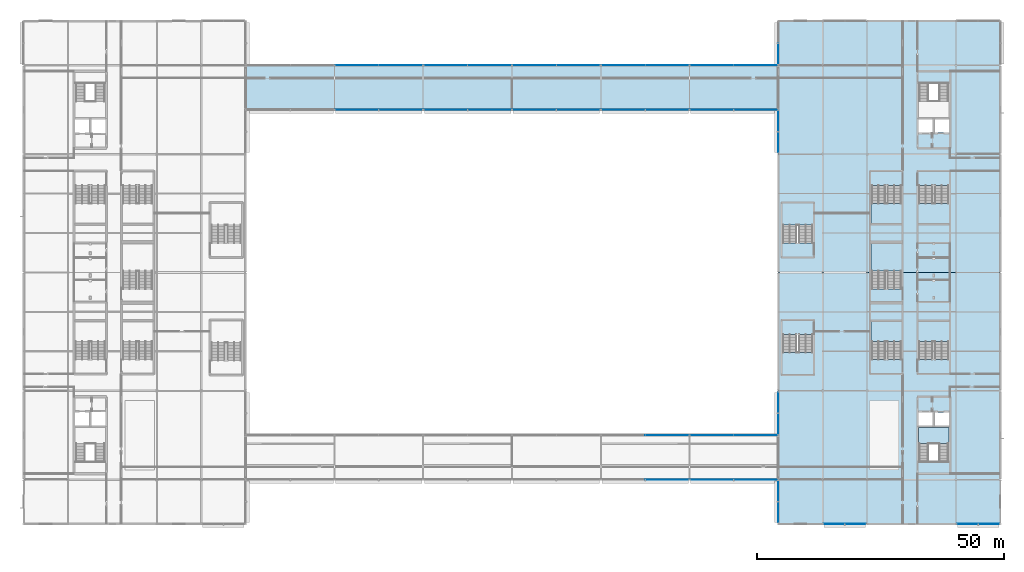
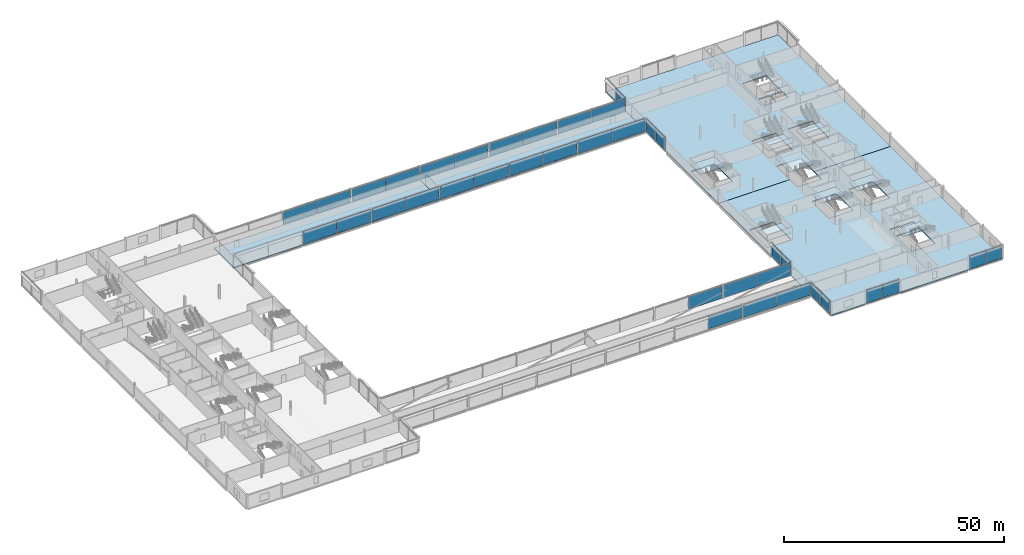
# One storey, part 55 of 98: 37 plates, 12 slabs, 28 elements without a shape of their own.
"""IFC4 building model written with IfcOpenShell, lengths in metres."""

from ifc_helpers import new_model, si_unit, direction, frame, origin, origin_2d, place, context, subcontext, project, spatial, polyline, rectangle, outline, extrude, material, layer, layer_set, type_object, element, aggregate, save


model = new_model("IFC4")

# Units and contexts
model_context = context("Model", 3, precision=1e-05, world=origin(), true_north=direction((0.0, 1.0)))
body_context = subcontext(model_context, "Body", "Model", "MODEL_VIEW")
ifc_project = project(units=[si_unit("LENGTHUNIT", "METRE"), si_unit("AREAUNIT", "SQUARE_METRE"), si_unit("VOLUMEUNIT", "CUBIC_METRE"), si_unit("PLANEANGLEUNIT", "RADIAN"), si_unit("MASSUNIT", "GRAM", prefix="KILO")], contexts=[model_context])

# Site, building, storey
site_placement = place(None, origin())
site = spatial("IfcSite", under=ifc_project, at=site_placement, CompositionType="ELEMENT")
building_placement = place(site_placement, origin())
building = spatial("IfcBuilding", under=site, at=building_placement, Name="Kisiwana Market Hall", CompositionType="ELEMENT")
storey_placement = place(building_placement, frame((0.0, 0.0, 29.39990234375)))
storey = spatial("IfcBuildingStorey", under=building, at=storey_placement, Name="L06", CompositionType="ELEMENT", Elevation=29.39990234375)

# Curtain wall, plates
ifc_material_1 = material(Name="Double-glazed solar-control low-E IGU", Category="glass")
ifc_layer_1 = layer(ifc_material_1, 0.159912109375)
ifc_layer_set_1 = layer_set([ifc_layer_1], Name="CW-ZNA-EW-8200")
curtain_wall_type = type_object("IfcCurtainWallType", Name="CW-ZNA-EW-8200", PredefinedType="USERDEFINED", material=ifc_layer_set_1)
curtain_wall_1_placement = place(storey_placement, origin())
curtain_wall_1 = element("IfcCurtainWall", 1, at=curtain_wall_1_placement, inside=storey, type_object=curtain_wall_type, Name="Unitised curtain wall CW-171 (L06)", ObjectType="UNITISED CURTAIN WALL", PredefinedType="USERDEFINED")
ifc_material_2 = material(Name="Double-glazed solar-control low-E IGU", Category="glass")
ifc_layer_2 = layer(ifc_material_2, 0.02392578125)
ifc_layer_set_2 = layer_set([ifc_layer_2], Name="PL-IGU-24")
plate_type_1 = type_object("IfcPlateType", Name="PL-IGU-24", PredefinedType="CURTAIN_PANEL", material=ifc_layer_set_2)
plate_1_placement = place(storey_placement, frame((191.359130859375, 9.0, 0.06005859375), z_axis=(0.0, 0.0, 1.0), x_axis=(1.0, 0.0, 0.0)))
plate_1 = element("IfcPlate", 2, at=plate_1_placement, type_object=plate_type_1, Name="CW-171 panel 1.1", PredefinedType="CURTAIN_PANEL", context=body_context, shape_type="SweptSolid", body=[
    extrude(rectangle(XDim=4.2236328125, YDim=0.02392578125, at=origin_2d()), origin(), (0.0, 0.0, 1.0), 3.5),
])
plate_2_placement = place(storey_placement, frame((195.64306640625, 9.0, 0.06005859375), z_axis=(0.0, 0.0, 1.0), x_axis=(1.0, 0.0, 0.0)))
plate_2 = element("IfcPlate", 3, at=plate_2_placement, type_object=plate_type_1, Name="CW-171 panel 2.1", PredefinedType="CURTAIN_PANEL", context=body_context, shape_type="SweptSolid", body=[
    extrude(rectangle(XDim=4.2236328125, YDim=0.02392578125, at=origin_2d()), origin(), (0.0, 0.0, 1.0), 3.5),
])
aggregate(curtain_wall_1, [plate_1, plate_2])

curtain_wall_2_placement = place(storey_placement, origin())
curtain_wall_2 = element("IfcCurtainWall", 4, at=curtain_wall_2_placement, inside=storey, type_object=curtain_wall_type, Name="Unitised curtain wall CW-177 (L06)", ObjectType="UNITISED CURTAIN WALL", PredefinedType="USERDEFINED")
plate_3_placement = place(storey_placement, frame((139.5625, 18.0, 0.06005859375), z_axis=(0.0, 0.0, 1.0), x_axis=(1.0, 0.0, 0.0)))
plate_3 = element("IfcPlate", 5, at=plate_3_placement, type_object=plate_type_1, Name="CW-177 panel 1.1", PredefinedType="CURTAIN_PANEL", context=body_context, shape_type="SweptSolid", body=[
    extrude(rectangle(XDim=8.7548828125, YDim=0.02392578125, at=origin_2d()), origin(), (0.0, 0.0, 1.0), 3.5),
])
plate_4_placement = place(storey_placement, frame((148.37744140625, 18.0, 0.06005859375), z_axis=(0.0, 0.0, 1.0), x_axis=(1.0, 0.0, 0.0)))
plate_4 = element("IfcPlate", 6, at=plate_4_placement, type_object=plate_type_1, Name="CW-177 panel 2.1", PredefinedType="CURTAIN_PANEL", context=body_context, shape_type="SweptSolid", body=[
    extrude(rectangle(XDim=8.7548828125, YDim=0.02392578125, at=origin_2d()), origin(), (0.0, 0.0, 1.0), 3.5),
])
aggregate(curtain_wall_2, [plate_3, plate_4])

curtain_wall_3_placement = place(storey_placement, origin())
curtain_wall_3 = element("IfcCurtainWall", 7, at=curtain_wall_3_placement, inside=storey, type_object=curtain_wall_type, Name="Unitised curtain wall CW-183 (L06)", ObjectType="UNITISED CURTAIN WALL", PredefinedType="USERDEFINED")
plate_5_placement = place(storey_placement, frame((139.5625, 27.0, 0.06005859375), z_axis=(0.0, 0.0, 1.0), x_axis=(1.0, 0.0, 0.0)))
plate_5 = element("IfcPlate", 8, at=plate_5_placement, type_object=plate_type_1, Name="CW-183 panel 1.1", PredefinedType="CURTAIN_PANEL", context=body_context, shape_type="SweptSolid", body=[
    extrude(rectangle(XDim=8.7548828125, YDim=0.02392578125, at=origin_2d()), origin(), (0.0, 0.0, 1.0), 3.5),
])
plate_6_placement = place(storey_placement, frame((148.37744140625, 27.0, 0.06005859375), z_axis=(0.0, 0.0, 1.0), x_axis=(1.0, 0.0, 0.0)))
plate_6 = element("IfcPlate", 9, at=plate_6_placement, type_object=plate_type_1, Name="CW-183 panel 2.1", PredefinedType="CURTAIN_PANEL", context=body_context, shape_type="SweptSolid", body=[
    extrude(rectangle(XDim=8.7548828125, YDim=0.02392578125, at=origin_2d()), origin(), (0.0, 0.0, 1.0), 3.5),
])
aggregate(curtain_wall_3, [plate_5, plate_6])

curtain_wall_4_placement = place(storey_placement, origin())
curtain_wall_4 = element("IfcCurtainWall", 10, at=curtain_wall_4_placement, inside=storey, type_object=curtain_wall_type, Name="Unitised curtain wall CW-185 (L06)", ObjectType="UNITISED CURTAIN WALL", PredefinedType="USERDEFINED")
plate_7_placement = place(storey_placement, frame((67.577392578125, 93.0, 0.06005859375), z_axis=(0.0, 0.0, 1.0), x_axis=(1.0, 0.0, 0.0)))
plate_7 = element("IfcPlate", 11, at=plate_7_placement, type_object=plate_type_1, Name="CW-185 panel 1.1", PredefinedType="CURTAIN_PANEL", context=body_context, shape_type="SweptSolid", body=[
    extrude(rectangle(XDim=8.784912109375, YDim=0.02392578125, at=origin_2d()), origin(), (0.0, 0.0, 1.0), 3.5),
])
plate_8_placement = place(storey_placement, frame((76.422607421875, 93.0, 0.06005859375), z_axis=(0.0, 0.0, 1.0), x_axis=(1.0, 0.0, 0.0)))
plate_8 = element("IfcPlate", 12, at=plate_8_placement, type_object=plate_type_1, Name="CW-185 panel 2.1", PredefinedType="CURTAIN_PANEL", context=body_context, shape_type="SweptSolid", body=[
    extrude(rectangle(XDim=8.784912109375, YDim=0.02392578125, at=origin_2d()), origin(), (0.0, 0.0, 1.0), 3.5),
])
aggregate(curtain_wall_4, [plate_7, plate_8])

curtain_wall_5_placement = place(storey_placement, origin())
curtain_wall_5 = element("IfcCurtainWall", 13, at=curtain_wall_5_placement, inside=storey, type_object=curtain_wall_type, Name="Unitised curtain wall CW-187 (L06)", ObjectType="UNITISED CURTAIN WALL", PredefinedType="USERDEFINED")
plate_9_placement = place(storey_placement, frame((103.577392578125, 93.0, 0.06005859375), z_axis=(0.0, 0.0, 1.0), x_axis=(1.0, 0.0, 0.0)))
plate_9 = element("IfcPlate", 14, at=plate_9_placement, type_object=plate_type_1, Name="CW-187 panel 1.1", PredefinedType="CURTAIN_PANEL", context=body_context, shape_type="SweptSolid", body=[
    extrude(rectangle(XDim=8.784912109375, YDim=0.02392578125, at=origin_2d()), origin(), (0.0, 0.0, 1.0), 3.5),
])
plate_10_placement = place(storey_placement, frame((112.422607421875, 93.0, 0.06005859375), z_axis=(0.0, 0.0, 1.0), x_axis=(1.0, 0.0, 0.0)))
plate_10 = element("IfcPlate", 15, at=plate_10_placement, type_object=plate_type_1, Name="CW-187 panel 2.1", PredefinedType="CURTAIN_PANEL", context=body_context, shape_type="SweptSolid", body=[
    extrude(rectangle(XDim=8.784912109375, YDim=0.02392578125, at=origin_2d()), origin(), (0.0, 0.0, 1.0), 3.5),
])
aggregate(curtain_wall_5, [plate_9, plate_10])

curtain_wall_6_placement = place(storey_placement, origin())
curtain_wall_6 = element("IfcCurtainWall", 16, at=curtain_wall_6_placement, inside=storey, type_object=curtain_wall_type, Name="Unitised curtain wall CW-189 (L06)", ObjectType="UNITISED CURTAIN WALL", PredefinedType="USERDEFINED")
plate_11_placement = place(storey_placement, frame((139.5625, 93.0, 0.06005859375), z_axis=(0.0, 0.0, 1.0), x_axis=(1.0, 0.0, 0.0)))
plate_11 = element("IfcPlate", 17, at=plate_11_placement, type_object=plate_type_1, Name="CW-189 panel 1.1", PredefinedType="CURTAIN_PANEL", context=body_context, shape_type="SweptSolid", body=[
    extrude(rectangle(XDim=8.7548828125, YDim=0.02392578125, at=origin_2d()), origin(), (0.0, 0.0, 1.0), 3.5),
])
plate_12_placement = place(storey_placement, frame((148.37744140625, 93.0, 0.06005859375), z_axis=(0.0, 0.0, 1.0), x_axis=(1.0, 0.0, 0.0)))
plate_12 = element("IfcPlate", 18, at=plate_12_placement, type_object=plate_type_1, Name="CW-189 panel 2.1", PredefinedType="CURTAIN_PANEL", context=body_context, shape_type="SweptSolid", body=[
    extrude(rectangle(XDim=8.7548828125, YDim=0.02392578125, at=origin_2d()), origin(), (0.0, 0.0, 1.0), 3.5),
])
aggregate(curtain_wall_6, [plate_11, plate_12])

curtain_wall_7_placement = place(storey_placement, origin())
curtain_wall_7 = element("IfcCurtainWall", 19, at=curtain_wall_7_placement, inside=storey, type_object=curtain_wall_type, Name="Unitised curtain wall CW-191 (L06)", ObjectType="UNITISED CURTAIN WALL", PredefinedType="USERDEFINED")
plate_13_placement = place(storey_placement, frame((67.577392578125, 102.0, 0.06005859375), z_axis=(0.0, 0.0, 1.0), x_axis=(1.0, 0.0, 0.0)))
plate_13 = element("IfcPlate", 20, at=plate_13_placement, type_object=plate_type_1, Name="CW-191 panel 1.1", PredefinedType="CURTAIN_PANEL", context=body_context, shape_type="SweptSolid", body=[
    extrude(rectangle(XDim=8.784912109375, YDim=0.02392578125, at=origin_2d()), origin(), (0.0, 0.0, 1.0), 3.5),
])
plate_14_placement = place(storey_placement, frame((76.422607421875, 102.0, 0.06005859375), z_axis=(0.0, 0.0, 1.0), x_axis=(1.0, 0.0, 0.0)))
plate_14 = element("IfcPlate", 21, at=plate_14_placement, type_object=plate_type_1, Name="CW-191 panel 2.1", PredefinedType="CURTAIN_PANEL", context=body_context, shape_type="SweptSolid", body=[
    extrude(rectangle(XDim=8.784912109375, YDim=0.02392578125, at=origin_2d()), origin(), (0.0, 0.0, 1.0), 3.5),
])
aggregate(curtain_wall_7, [plate_13, plate_14])

curtain_wall_8_placement = place(storey_placement, origin())
curtain_wall_8 = element("IfcCurtainWall", 22, at=curtain_wall_8_placement, inside=storey, type_object=curtain_wall_type, Name="Unitised curtain wall CW-193 (L06)", ObjectType="UNITISED CURTAIN WALL", PredefinedType="USERDEFINED")
plate_15_placement = place(storey_placement, frame((103.577392578125, 102.0, 0.06005859375), z_axis=(0.0, 0.0, 1.0), x_axis=(1.0, 0.0, 0.0)))
plate_15 = element("IfcPlate", 23, at=plate_15_placement, type_object=plate_type_1, Name="CW-193 panel 1.1", PredefinedType="CURTAIN_PANEL", context=body_context, shape_type="SweptSolid", body=[
    extrude(rectangle(XDim=8.784912109375, YDim=0.02392578125, at=origin_2d()), origin(), (0.0, 0.0, 1.0), 3.5),
])
plate_16_placement = place(storey_placement, frame((112.422607421875, 102.0, 0.06005859375), z_axis=(0.0, 0.0, 1.0), x_axis=(1.0, 0.0, 0.0)))
plate_16 = element("IfcPlate", 24, at=plate_16_placement, type_object=plate_type_1, Name="CW-193 panel 2.1", PredefinedType="CURTAIN_PANEL", context=body_context, shape_type="SweptSolid", body=[
    extrude(rectangle(XDim=8.784912109375, YDim=0.02392578125, at=origin_2d()), origin(), (0.0, 0.0, 1.0), 3.5),
])
aggregate(curtain_wall_8, [plate_15, plate_16])

curtain_wall_9_placement = place(storey_placement, origin())
curtain_wall_9 = element("IfcCurtainWall", 25, at=curtain_wall_9_placement, inside=storey, type_object=curtain_wall_type, Name="Unitised curtain wall CW-195 (L06)", ObjectType="UNITISED CURTAIN WALL", PredefinedType="USERDEFINED")
plate_17_placement = place(storey_placement, frame((139.5625, 102.0, 0.06005859375), z_axis=(0.0, 0.0, 1.0), x_axis=(1.0, 0.0, 0.0)))
plate_17 = element("IfcPlate", 26, at=plate_17_placement, type_object=plate_type_1, Name="CW-195 panel 1.1", PredefinedType="CURTAIN_PANEL", context=body_context, shape_type="SweptSolid", body=[
    extrude(rectangle(XDim=8.7548828125, YDim=0.02392578125, at=origin_2d()), origin(), (0.0, 0.0, 1.0), 3.5),
])
plate_18_placement = place(storey_placement, frame((148.37744140625, 102.0, 0.06005859375), z_axis=(0.0, 0.0, 1.0), x_axis=(1.0, 0.0, 0.0)))
plate_18 = element("IfcPlate", 27, at=plate_18_placement, type_object=plate_type_1, Name="CW-195 panel 2.1", PredefinedType="CURTAIN_PANEL", context=body_context, shape_type="SweptSolid", body=[
    extrude(rectangle(XDim=8.7548828125, YDim=0.02392578125, at=origin_2d()), origin(), (0.0, 0.0, 1.0), 3.5),
])
aggregate(curtain_wall_9, [plate_17, plate_18])

curtain_wall_10_placement = place(storey_placement, origin())
curtain_wall_10 = element("IfcCurtainWall", 28, at=curtain_wall_10_placement, inside=storey, type_object=curtain_wall_type, Name="Unitised curtain wall CW-205 (L06)", ObjectType="UNITISED CURTAIN WALL", PredefinedType="USERDEFINED")
plate_19_placement = place(storey_placement, frame((153.0, 29.35546875, 0.06005859375), z_axis=(0.0, 0.0, 1.0), x_axis=(0.0, 1.0, 0.0)))
plate_19 = element("IfcPlate", 29, at=plate_19_placement, type_object=plate_type_1, Name="CW-205 panel 1.1", PredefinedType="CURTAIN_PANEL", context=body_context, shape_type="SweptSolid", body=[
    extrude(rectangle(XDim=4.22900390625, YDim=0.02392578125, at=origin_2d()), origin(), (0.0, 0.0, 1.0), 3.5),
])
plate_20_placement = place(storey_placement, frame((153.0, 33.64453125, 0.06005859375), z_axis=(0.0, 0.0, 1.0), x_axis=(0.0, 1.0, 0.0)))
plate_20 = element("IfcPlate", 30, at=plate_20_placement, type_object=plate_type_1, Name="CW-205 panel 2.1", PredefinedType="CURTAIN_PANEL", context=body_context, shape_type="SweptSolid", body=[
    extrude(rectangle(XDim=4.22900390625, YDim=0.02392578125, at=origin_2d()), origin(), (0.0, 0.0, 1.0), 3.5),
])
aggregate(curtain_wall_10, [plate_19, plate_20])

# Curtain wall, plate
curtain_wall_11_placement = place(storey_placement, origin())
curtain_wall_11 = element("IfcCurtainWall", 31, at=curtain_wall_11_placement, inside=storey, type_object=curtain_wall_type, Name="Unitised curtain wall CW-207 (L06)", ObjectType="UNITISED CURTAIN WALL", PredefinedType="USERDEFINED")
plate_21_placement = place(storey_placement, frame((153.0, 104.35546875, 0.06005859375), z_axis=(0.0, 0.0, 1.0), x_axis=(0.0, 1.0, 0.0)))
plate_21 = element("IfcPlate", 32, at=plate_21_placement, type_object=plate_type_1, Name="CW-207 panel 1.1", PredefinedType="CURTAIN_PANEL", context=body_context, shape_type="SweptSolid", body=[
    extrude(rectangle(XDim=4.22900390625, YDim=0.02392578125, at=origin_2d()), origin(), (0.0, 0.0, 1.0), 3.5),
])
aggregate(curtain_wall_11, [plate_21])

# Curtain wall, plates
curtain_wall_12_placement = place(storey_placement, origin())
curtain_wall_12 = element("IfcCurtainWall", 33, at=curtain_wall_12_placement, inside=storey, type_object=curtain_wall_type, Name="Unitised curtain wall CW-170 (L06)", ObjectType="UNITISED CURTAIN WALL", PredefinedType="USERDEFINED")
ifc_material_3 = material(Name="Double-glazed acoustic laminated IGU", Category="glass")
ifc_layer_3 = layer(ifc_material_3, 0.028076171875)
ifc_layer_set_3 = layer_set([ifc_layer_3], Name="PL-IGU-28")
plate_type_2 = type_object("IfcPlateType", Name="PL-IGU-28", PredefinedType="CURTAIN_PANEL", material=ifc_layer_set_3)
plate_22_placement = place(storey_placement, frame((164.35693359375, 9.0, 0.06005859375), z_axis=(0.0, 0.0, 1.0), x_axis=(1.0, 0.0, 0.0)))
plate_22 = element("IfcPlate", 34, at=plate_22_placement, type_object=plate_type_2, Name="CW-170 panel 1.1", PredefinedType="CURTAIN_PANEL", context=body_context, shape_type="SweptSolid", body=[
    extrude(rectangle(XDim=4.2236328125, YDim=0.028076171875, at=origin_2d()), origin(), (0.0, 0.0, 1.0), 3.5),
])
plate_23_placement = place(storey_placement, frame((168.640869140625, 9.0, 0.06005859375), z_axis=(0.0, 0.0, 1.0), x_axis=(1.0, 0.0, 0.0)))
plate_23 = element("IfcPlate", 35, at=plate_23_placement, type_object=plate_type_2, Name="CW-170 panel 2.1", PredefinedType="CURTAIN_PANEL", context=body_context, shape_type="SweptSolid", body=[
    extrude(rectangle(XDim=4.2236328125, YDim=0.028076171875, at=origin_2d()), origin(), (0.0, 0.0, 1.0), 3.5),
])
aggregate(curtain_wall_12, [plate_22, plate_23])

# Curtain wall, plate
curtain_wall_13_placement = place(storey_placement, origin())
curtain_wall_13 = element("IfcCurtainWall", 36, at=curtain_wall_13_placement, inside=storey, type_object=curtain_wall_type, Name="Unitised curtain wall CW-176 (L06)", ObjectType="UNITISED CURTAIN WALL", PredefinedType="USERDEFINED")
plate_24_placement = place(storey_placement, frame((130.422607421875, 18.0, 0.06005859375), z_axis=(0.0, 0.0, 1.0), x_axis=(1.0, 0.0, 0.0)))
plate_24 = element("IfcPlate", 37, at=plate_24_placement, type_object=plate_type_2, Name="CW-176 panel 2.1", PredefinedType="CURTAIN_PANEL", context=body_context, shape_type="SweptSolid", body=[
    extrude(rectangle(XDim=8.784912109375, YDim=0.028076171875, at=origin_2d()), origin(), (0.0, 0.0, 1.0), 3.5),
])
aggregate(curtain_wall_13, [plate_24])

curtain_wall_14_placement = place(storey_placement, origin())
curtain_wall_14 = element("IfcCurtainWall", 38, at=curtain_wall_14_placement, inside=storey, type_object=curtain_wall_type, Name="Unitised curtain wall CW-182 (L06)", ObjectType="UNITISED CURTAIN WALL", PredefinedType="USERDEFINED")
plate_25_placement = place(storey_placement, frame((130.422607421875, 27.0, 0.06005859375), z_axis=(0.0, 0.0, 1.0), x_axis=(1.0, 0.0, 0.0)))
plate_25 = element("IfcPlate", 39, at=plate_25_placement, type_object=plate_type_2, Name="CW-182 panel 2.1", PredefinedType="CURTAIN_PANEL", context=body_context, shape_type="SweptSolid", body=[
    extrude(rectangle(XDim=8.784912109375, YDim=0.028076171875, at=origin_2d()), origin(), (0.0, 0.0, 1.0), 3.5),
])
aggregate(curtain_wall_14, [plate_25])

# Curtain wall, plates
curtain_wall_15_placement = place(storey_placement, origin())
curtain_wall_15 = element("IfcCurtainWall", 40, at=curtain_wall_15_placement, inside=storey, type_object=curtain_wall_type, Name="Unitised curtain wall CW-186 (L06)", ObjectType="UNITISED CURTAIN WALL", PredefinedType="USERDEFINED")
plate_26_placement = place(storey_placement, frame((85.577392578125, 93.0, 0.06005859375), z_axis=(0.0, 0.0, 1.0), x_axis=(1.0, 0.0, 0.0)))
plate_26 = element("IfcPlate", 41, at=plate_26_placement, type_object=plate_type_2, Name="CW-186 panel 1.1", PredefinedType="CURTAIN_PANEL", context=body_context, shape_type="SweptSolid", body=[
    extrude(rectangle(XDim=8.784912109375, YDim=0.028076171875, at=origin_2d()), origin(), (0.0, 0.0, 1.0), 3.5),
])
plate_27_placement = place(storey_placement, frame((94.422607421875, 93.0, 0.06005859375), z_axis=(0.0, 0.0, 1.0), x_axis=(1.0, 0.0, 0.0)))
plate_27 = element("IfcPlate", 42, at=plate_27_placement, type_object=plate_type_2, Name="CW-186 panel 2.1", PredefinedType="CURTAIN_PANEL", context=body_context, shape_type="SweptSolid", body=[
    extrude(rectangle(XDim=8.784912109375, YDim=0.028076171875, at=origin_2d()), origin(), (0.0, 0.0, 1.0), 3.5),
])
aggregate(curtain_wall_15, [plate_26, plate_27])

curtain_wall_16_placement = place(storey_placement, origin())
curtain_wall_16 = element("IfcCurtainWall", 43, at=curtain_wall_16_placement, inside=storey, type_object=curtain_wall_type, Name="Unitised curtain wall CW-188 (L06)", ObjectType="UNITISED CURTAIN WALL", PredefinedType="USERDEFINED")
plate_28_placement = place(storey_placement, frame((121.577392578125, 93.0, 0.06005859375), z_axis=(0.0, 0.0, 1.0), x_axis=(1.0, 0.0, 0.0)))
plate_28 = element("IfcPlate", 44, at=plate_28_placement, type_object=plate_type_2, Name="CW-188 panel 1.1", PredefinedType="CURTAIN_PANEL", context=body_context, shape_type="SweptSolid", body=[
    extrude(rectangle(XDim=8.784912109375, YDim=0.028076171875, at=origin_2d()), origin(), (0.0, 0.0, 1.0), 3.5),
])
plate_29_placement = place(storey_placement, frame((130.422607421875, 93.0, 0.06005859375), z_axis=(0.0, 0.0, 1.0), x_axis=(1.0, 0.0, 0.0)))
plate_29 = element("IfcPlate", 45, at=plate_29_placement, type_object=plate_type_2, Name="CW-188 panel 2.1", PredefinedType="CURTAIN_PANEL", context=body_context, shape_type="SweptSolid", body=[
    extrude(rectangle(XDim=8.784912109375, YDim=0.028076171875, at=origin_2d()), origin(), (0.0, 0.0, 1.0), 3.5),
])
aggregate(curtain_wall_16, [plate_28, plate_29])

curtain_wall_17_placement = place(storey_placement, origin())
curtain_wall_17 = element("IfcCurtainWall", 46, at=curtain_wall_17_placement, inside=storey, type_object=curtain_wall_type, Name="Unitised curtain wall CW-192 (L06)", ObjectType="UNITISED CURTAIN WALL", PredefinedType="USERDEFINED")
plate_30_placement = place(storey_placement, frame((85.577392578125, 102.0, 0.06005859375), z_axis=(0.0, 0.0, 1.0), x_axis=(1.0, 0.0, 0.0)))
plate_30 = element("IfcPlate", 47, at=plate_30_placement, type_object=plate_type_2, Name="CW-192 panel 1.1", PredefinedType="CURTAIN_PANEL", context=body_context, shape_type="SweptSolid", body=[
    extrude(rectangle(XDim=8.784912109375, YDim=0.028076171875, at=origin_2d()), origin(), (0.0, 0.0, 1.0), 3.5),
])
plate_31_placement = place(storey_placement, frame((94.422607421875, 102.0, 0.06005859375), z_axis=(0.0, 0.0, 1.0), x_axis=(1.0, 0.0, 0.0)))
plate_31 = element("IfcPlate", 48, at=plate_31_placement, type_object=plate_type_2, Name="CW-192 panel 2.1", PredefinedType="CURTAIN_PANEL", context=body_context, shape_type="SweptSolid", body=[
    extrude(rectangle(XDim=8.784912109375, YDim=0.028076171875, at=origin_2d()), origin(), (0.0, 0.0, 1.0), 3.5),
])
aggregate(curtain_wall_17, [plate_30, plate_31])

curtain_wall_18_placement = place(storey_placement, origin())
curtain_wall_18 = element("IfcCurtainWall", 49, at=curtain_wall_18_placement, inside=storey, type_object=curtain_wall_type, Name="Unitised curtain wall CW-194 (L06)", ObjectType="UNITISED CURTAIN WALL", PredefinedType="USERDEFINED")
plate_32_placement = place(storey_placement, frame((121.577392578125, 102.0, 0.06005859375), z_axis=(0.0, 0.0, 1.0), x_axis=(1.0, 0.0, 0.0)))
plate_32 = element("IfcPlate", 50, at=plate_32_placement, type_object=plate_type_2, Name="CW-194 panel 1.1", PredefinedType="CURTAIN_PANEL", context=body_context, shape_type="SweptSolid", body=[
    extrude(rectangle(XDim=8.784912109375, YDim=0.028076171875, at=origin_2d()), origin(), (0.0, 0.0, 1.0), 3.5),
])
plate_33_placement = place(storey_placement, frame((130.422607421875, 102.0, 0.06005859375), z_axis=(0.0, 0.0, 1.0), x_axis=(1.0, 0.0, 0.0)))
plate_33 = element("IfcPlate", 51, at=plate_33_placement, type_object=plate_type_2, Name="CW-194 panel 2.1", PredefinedType="CURTAIN_PANEL", context=body_context, shape_type="SweptSolid", body=[
    extrude(rectangle(XDim=8.784912109375, YDim=0.028076171875, at=origin_2d()), origin(), (0.0, 0.0, 1.0), 3.5),
])
aggregate(curtain_wall_18, [plate_32, plate_33])

curtain_wall_19_placement = place(storey_placement, origin())
curtain_wall_19 = element("IfcCurtainWall", 52, at=curtain_wall_19_placement, inside=storey, type_object=curtain_wall_type, Name="Unitised curtain wall CW-204 (L06)", ObjectType="UNITISED CURTAIN WALL", PredefinedType="USERDEFINED")
plate_34_placement = place(storey_placement, frame((153.0, 11.35546875, 0.06005859375), z_axis=(0.0, 0.0, 1.0), x_axis=(0.0, 1.0, 0.0)))
plate_34 = element("IfcPlate", 53, at=plate_34_placement, type_object=plate_type_2, Name="CW-204 panel 1.1", PredefinedType="CURTAIN_PANEL", context=body_context, shape_type="SweptSolid", body=[
    extrude(rectangle(XDim=4.22900390625, YDim=0.028076171875, at=origin_2d()), origin(), (0.0, 0.0, 1.0), 3.5),
])
plate_35_placement = place(storey_placement, frame((153.0, 15.64453125, 0.06005859375), z_axis=(0.0, 0.0, 1.0), x_axis=(0.0, 1.0, 0.0)))
plate_35 = element("IfcPlate", 54, at=plate_35_placement, type_object=plate_type_2, Name="CW-204 panel 2.1", PredefinedType="CURTAIN_PANEL", context=body_context, shape_type="SweptSolid", body=[
    extrude(rectangle(XDim=4.22900390625, YDim=0.028076171875, at=origin_2d()), origin(), (0.0, 0.0, 1.0), 3.5),
])
aggregate(curtain_wall_19, [plate_34, plate_35])

curtain_wall_20_placement = place(storey_placement, origin())
curtain_wall_20 = element("IfcCurtainWall", 55, at=curtain_wall_20_placement, inside=storey, type_object=curtain_wall_type, Name="Unitised curtain wall CW-206 (L06)", ObjectType="UNITISED CURTAIN WALL", PredefinedType="USERDEFINED")
plate_36_placement = place(storey_placement, frame((153.0, 86.35546875, 0.06005859375), z_axis=(0.0, 0.0, 1.0), x_axis=(0.0, 1.0, 0.0)))
plate_36 = element("IfcPlate", 56, at=plate_36_placement, type_object=plate_type_2, Name="CW-206 panel 1.1", PredefinedType="CURTAIN_PANEL", context=body_context, shape_type="SweptSolid", body=[
    extrude(rectangle(XDim=4.22900390625, YDim=0.028076171875, at=origin_2d()), origin(), (0.0, 0.0, 1.0), 3.5),
])
plate_37_placement = place(storey_placement, frame((153.0, 90.64453125, 0.06005859375), z_axis=(0.0, 0.0, 1.0), x_axis=(0.0, 1.0, 0.0)))
plate_37 = element("IfcPlate", 57, at=plate_37_placement, type_object=plate_type_2, Name="CW-206 panel 2.1", PredefinedType="CURTAIN_PANEL", context=body_context, shape_type="SweptSolid", body=[
    extrude(rectangle(XDim=4.22900390625, YDim=0.028076171875, at=origin_2d()), origin(), (0.0, 0.0, 1.0), 3.5),
])
aggregate(curtain_wall_20, [plate_36, plate_37])

# Stair, slab
ifc_material_4 = material(Name="Concrete C32/40", Category="concrete")
stair_type_1 = type_object("IfcStairType", Name="ST-TWR-3900", PredefinedType="TWO_STRAIGHT_RUN_STAIR", material=ifc_material_4)
stair_1_placement = place(storey_placement, origin())
stair_1 = element("IfcStair", 58, at=stair_1_placement, inside=storey, type_object=stair_type_1, Name="Escape stair ST-E2-L06", PredefinedType="TWO_STRAIGHT_RUN_STAIR")
ifc_material_5 = material(Name="Concrete C32/40", Category="concrete")
ifc_layer_4 = layer(ifc_material_5, 0.239990234375)
ifc_layer_set_4 = layer_set([ifc_layer_4], Name="SL-LANDING-160")
slab_type_1 = type_object("IfcSlabType", Name="SL-LANDING-160", PredefinedType="LANDING", material=ifc_layer_set_4)
slab_1_placement = place(storey_placement, frame((0.0, 0.0, 1.710205078125)))
slab_1 = element("IfcSlab", 59, at=slab_1_placement, type_object=slab_type_1, Name="ST-E2-L06 landing 1 S-286", PredefinedType="LANDING", context=body_context, shape_type="SweptSolid", body=[
    extrude(outline(polyline([(181.3798828125, 25.30908203125), (187.6201171875, 25.30908203125), (187.6201171875, 28.6201171875), (181.3798828125, 28.6201171875), (181.3798828125, 25.30908203125)])), origin(), (0.0, 0.0, 1.0), 0.239990234375),
])
aggregate(stair_1, [slab_1])

ifc_material_6 = material(Name="Concrete C32/40", Category="concrete")
stair_type_2 = type_object("IfcStairType", Name="ST-ESC-3900", PredefinedType="TWO_STRAIGHT_RUN_STAIR", material=ifc_material_6)
stair_2_placement = place(storey_placement, origin())
stair_2 = element("IfcStair", 60, at=stair_2_placement, inside=storey, type_object=stair_type_2, Name="Escape stair ST-E3-L06", PredefinedType="TWO_STRAIGHT_RUN_STAIR")
slab_2_placement = place(storey_placement, frame((0.0, 0.0, 1.710205078125)))
slab_2 = element("IfcSlab", 61, at=slab_2_placement, type_object=slab_type_1, Name="ST-E3-L06 landing 1 S-287", PredefinedType="LANDING", context=body_context, shape_type="SweptSolid", body=[
    extrude(outline(polyline([(181.340087890625, 46.01953125), (187.659912109375, 46.01953125), (187.659912109375, 50.06005859375), (181.340087890625, 50.06005859375), (181.340087890625, 46.01953125)])), origin(), (0.0, 0.0, 1.0), 0.239990234375),
])
aggregate(stair_2, [slab_2])

stair_3_placement = place(storey_placement, origin())
stair_3 = element("IfcStair", 62, at=stair_3_placement, inside=storey, type_object=stair_type_2, Name="Escape stair ST-E4-L06", PredefinedType="TWO_STRAIGHT_RUN_STAIR")
slab_3_placement = place(storey_placement, frame((0.0, 0.0, 1.710205078125)))
slab_3 = element("IfcSlab", 63, at=slab_3_placement, type_object=slab_type_1, Name="ST-E4-L06 landing 1 S-288", PredefinedType="LANDING", context=body_context, shape_type="SweptSolid", body=[
    extrude(outline(polyline([(181.340087890625, 69.93994140625), (187.659912109375, 69.93994140625), (187.659912109375, 73.98046875), (181.340087890625, 73.98046875), (181.340087890625, 69.93994140625)])), origin(), (0.0, 0.0, 1.0), 0.239990234375),
])
aggregate(stair_3, [slab_3])

stair_4_placement = place(storey_placement, origin())
stair_4 = element("IfcStair", 64, at=stair_4_placement, inside=storey, type_object=stair_type_2, Name="Escape stair ST-E7-L06", PredefinedType="TWO_STRAIGHT_RUN_STAIR")
slab_4_placement = place(storey_placement, frame((0.0, 0.0, 1.710205078125)))
slab_4 = element("IfcSlab", 65, at=slab_4_placement, type_object=slab_type_1, Name="ST-E7-L06 landing 1 S-290", PredefinedType="LANDING", context=body_context, shape_type="SweptSolid", body=[
    extrude(outline(polyline([(171.739990234375, 46.01953125), (178.06005859375, 46.01953125), (178.06005859375, 50.06005859375), (171.739990234375, 50.06005859375), (171.739990234375, 46.01953125)])), origin(), (0.0, 0.0, 1.0), 0.239990234375),
])
aggregate(stair_4, [slab_4])

stair_5_placement = place(storey_placement, origin())
stair_5 = element("IfcStair", 66, at=stair_5_placement, inside=storey, type_object=stair_type_2, Name="Escape stair ST-E8-L06", PredefinedType="TWO_STRAIGHT_RUN_STAIR")
slab_5_placement = place(storey_placement, frame((0.0, 0.0, 1.710205078125)))
slab_5 = element("IfcSlab", 67, at=slab_5_placement, type_object=slab_type_1, Name="ST-E8-L06 landing 1 S-291", PredefinedType="LANDING", context=body_context, shape_type="SweptSolid", body=[
    extrude(outline(polyline([(171.739990234375, 69.93994140625), (178.06005859375, 69.93994140625), (178.06005859375, 73.98046875), (171.739990234375, 73.98046875), (171.739990234375, 69.93994140625)])), origin(), (0.0, 0.0, 1.0), 0.239990234375),
])
aggregate(stair_5, [slab_5])

stair_6_placement = place(storey_placement, origin())
stair_6 = element("IfcStair", 68, at=stair_6_placement, inside=storey, type_object=stair_type_2, Name="Escape stair ST-E9-L06", PredefinedType="TWO_STRAIGHT_RUN_STAIR")
slab_6_placement = place(storey_placement, frame((0.0, 0.0, 1.710205078125)))
slab_6 = element("IfcSlab", 69, at=slab_6_placement, type_object=slab_type_1, Name="ST-E9-L06 landing 1 S-292", PredefinedType="LANDING", context=body_context, shape_type="SweptSolid", body=[
    extrude(outline(polyline([(153.77001953125, 39.340087890625), (160.090087890625, 39.340087890625), (160.090087890625, 43.780517578125), (153.77001953125, 43.780517578125), (153.77001953125, 39.340087890625)])), origin(), (0.0, 0.0, 1.0), 0.239990234375),
])
aggregate(stair_6, [slab_6])

stair_7_placement = place(storey_placement, origin())
stair_7 = element("IfcStair", 70, at=stair_7_placement, inside=storey, type_object=stair_type_2, Name="Escape stair ST-E10-L06", PredefinedType="TWO_STRAIGHT_RUN_STAIR")
slab_7_placement = place(storey_placement, frame((0.0, 0.0, 1.710205078125)))
slab_7 = element("IfcSlab", 71, at=slab_7_placement, type_object=slab_type_1, Name="ST-E10-L06 landing 1 S-285", PredefinedType="LANDING", context=body_context, shape_type="SweptSolid", body=[
    extrude(outline(polyline([(153.77001953125, 69.619384765625), (160.090087890625, 69.619384765625), (160.090087890625, 74.06005859375), (153.77001953125, 74.06005859375), (153.77001953125, 69.619384765625)])), origin(), (0.0, 0.0, 1.0), 0.239990234375),
])
aggregate(stair_7, [slab_7])

stair_8_placement = place(storey_placement, origin())
stair_8 = element("IfcStair", 72, at=stair_8_placement, inside=storey, type_object=stair_type_2, Name="Escape stair ST-E5-L06", PredefinedType="TWO_STRAIGHT_RUN_STAIR")
slab_8_placement = place(storey_placement, frame((0.0, 0.0, 1.710205078125)))
slab_8 = element("IfcSlab", 73, at=slab_8_placement, type_object=slab_type_1, Name="ST-E5-L06 landing 1 S-289", PredefinedType="LANDING", context=body_context, shape_type="SweptSolid", body=[
    extrude(outline(polyline([(171.739990234375, 60.299560546875), (178.06005859375, 60.299560546875), (178.06005859375, 66.179931640625), (171.739990234375, 66.179931640625), (171.739990234375, 60.299560546875)])), origin(), (0.0, 0.0, 1.0), 0.239990234375),
])
aggregate(stair_8, [slab_8])

# Slabs
ifc_material_7 = material(Name="Concrete C32/40", Category="concrete")
ifc_layer_5 = layer(ifc_material_7, 0.2451171875)
ifc_layer_set_5 = layer_set([ifc_layer_5], Name="SL-OFF-175")
slab_type_2 = type_object("IfcSlabType", Name="SL-OFF-175", PredefinedType="FLOOR", material=ifc_layer_set_5)
slab_9_placement = place(storey_placement, frame((0.0, 0.0, -0.244873046875)))
element("IfcSlab", 74, at=slab_9_placement, inside=storey, type_object=slab_type_2, Name="Structural slab S-278", PredefinedType="FLOOR", context=body_context, shape_type="SweptSolid", body=[
    extrude(outline(polyline([(153.0, 9.0), (198.0, 9.0), (198.0, 60.0), (178.0400390625, 60.0), (178.0400390625, 56.659912109375), (171.760009765625, 56.659912109375), (171.760009765625, 60.0), (153.0, 60.0), (153.0, 9.0)]), holes=[polyline([(181.39990234375, 21.64990234375), (187.60009765625, 21.64990234375), (187.60009765625, 28.60009765625), (181.39990234375, 28.60009765625), (181.39990234375, 21.64990234375)]), polyline([(181.39990234375, 28.919921875), (184.340087890625, 28.919921875), (184.340087890625, 31.64990234375), (181.39990234375, 31.64990234375), (181.39990234375, 28.919921875)]), polyline([(184.659912109375, 28.919921875), (187.60009765625, 28.919921875), (187.60009765625, 31.64990234375), (184.659912109375, 31.64990234375), (184.659912109375, 28.919921875)]), polyline([(181.360107421875, 42.3798828125), (187.639892578125, 42.3798828125), (187.639892578125, 50.0400390625), (181.360107421875, 50.0400390625), (181.360107421875, 42.3798828125)]), polyline([(171.760009765625, 42.3798828125), (178.0400390625, 42.3798828125), (178.0400390625, 50.0400390625), (171.760009765625, 50.0400390625), (171.760009765625, 42.3798828125)]), polyline([(153.7900390625, 39.360107421875), (160.070068359375, 39.360107421875), (160.070068359375, 47.419921875), (153.7900390625, 47.419921875), (153.7900390625, 39.360107421875)])]), origin(), (0.0, 0.0, 1.0), 0.244873046875),
])
slab_10_placement = place(storey_placement, frame((0.0, 0.0, -0.244873046875)))
element("IfcSlab", 75, at=slab_10_placement, inside=storey, type_object=slab_type_2, Name="Structural slab S-279", PredefinedType="FLOOR", context=body_context, shape_type="SweptSolid", body=[
    extrude(outline(polyline([(153.0, 60.0), (171.760009765625, 60.0), (171.760009765625, 66.159912109375), (178.0400390625, 66.159912109375), (178.0400390625, 60.0), (198.0, 60.0), (198.0, 111.0), (153.0, 111.0), (153.0, 60.0)]), holes=[polyline([(181.39990234375, 91.39990234375), (187.60009765625, 91.39990234375), (187.60009765625, 98.35009765625), (181.39990234375, 98.35009765625), (181.39990234375, 91.39990234375)]), polyline([(181.39990234375, 88.35009765625), (184.340087890625, 88.35009765625), (184.340087890625, 91.080078125), (181.39990234375, 91.080078125), (181.39990234375, 88.35009765625)]), polyline([(184.659912109375, 88.35009765625), (187.60009765625, 88.35009765625), (187.60009765625, 91.080078125), (184.659912109375, 91.080078125), (184.659912109375, 88.35009765625)]), polyline([(181.360107421875, 69.9599609375), (187.639892578125, 69.9599609375), (187.639892578125, 77.6201171875), (181.360107421875, 77.6201171875), (181.360107421875, 69.9599609375)]), polyline([(171.760009765625, 69.9599609375), (178.0400390625, 69.9599609375), (178.0400390625, 77.6201171875), (171.760009765625, 77.6201171875), (171.760009765625, 69.9599609375)]), polyline([(153.7900390625, 65.97998046875), (160.070068359375, 65.97998046875), (160.070068359375, 74.0400390625), (153.7900390625, 74.0400390625), (153.7900390625, 65.97998046875)])]), origin(), (0.0, 0.0, 1.0), 0.244873046875),
])
ifc_material_8 = material(Name="Concrete C32/40", Category="concrete")
ifc_layer_6 = layer(ifc_material_8, 0.264892578125)
ifc_layer_set_6 = layer_set([ifc_layer_6], Name="SL-SKYBR-190")
slab_type_3 = type_object("IfcSlabType", Name="SL-SKYBR-190", PredefinedType="FLOOR", material=ifc_layer_set_6)
slab_11_placement = place(storey_placement, frame((0.0, 0.0, -0.264892578125)))
element("IfcSlab", 76, at=slab_11_placement, inside=storey, type_object=slab_type_3, Name="Structural slab S-282", PredefinedType="FLOOR", context=body_context, shape_type="SweptSolid", body=[
    extrude(outline(polyline([(45.0, 93.0), (99.0, 93.0), (99.0, 102.0), (45.0, 102.0), (45.0, 93.0)])), origin(), (0.0, 0.0, 1.0), 0.264892578125),
])
slab_12_placement = place(storey_placement, frame((0.0, 0.0, -0.264892578125)))
element("IfcSlab", 77, at=slab_12_placement, inside=storey, type_object=slab_type_3, Name="Structural slab S-283", PredefinedType="FLOOR", context=body_context, shape_type="SweptSolid", body=[
    extrude(outline(polyline([(99.0, 93.0), (153.0, 93.0), (153.0, 102.0), (99.0, 102.0), (99.0, 93.0)])), origin(), (0.0, 0.0, 1.0), 0.264892578125),
])

save(model, "model.ifc")
